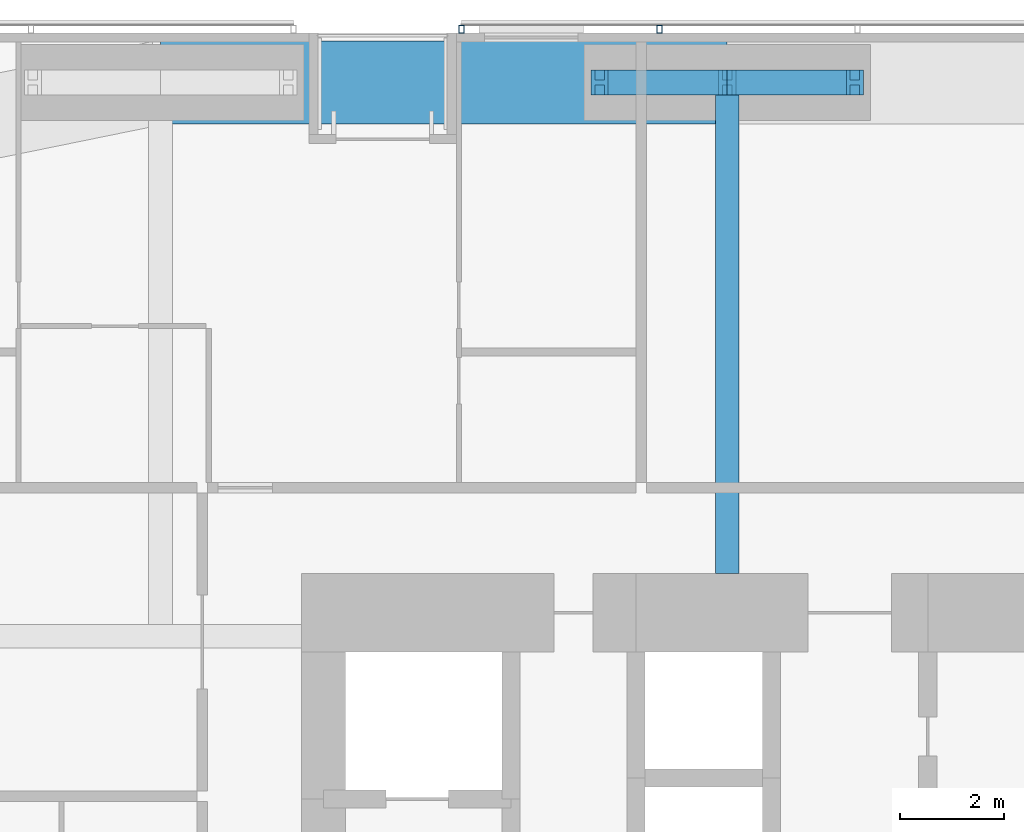
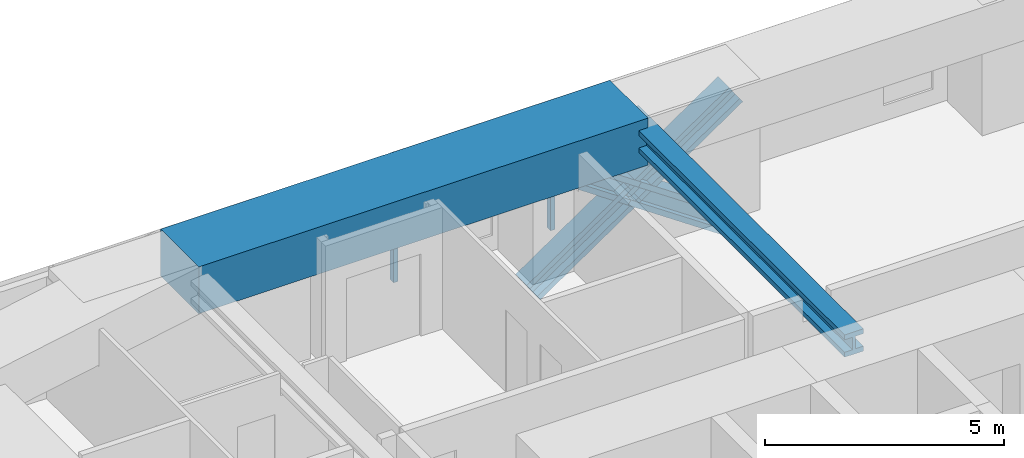
# One storey, part 13 of 24: 6 members, 2 beams, 1 element without a shape of its own.
"""IFC4 building model written with IfcOpenShell, lengths in metres."""

from ifc_helpers import new_model, si_unit, direction, frame, origin, origin_2d, place, context, subcontext, project, spatial, rectangle, hollow_rectangle, i_section, extrude, material, material_profile, profile_set, type_object, element, aggregate, save


model = new_model("IFC4")

# Units and contexts
model_context = context("Model", 3, precision=1e-05, world=origin(), true_north=direction((0.0, 1.0)))
body_context = subcontext(model_context, "Body", "Model", "MODEL_VIEW")
ifc_project = project(units=[si_unit("LENGTHUNIT", "METRE"), si_unit("AREAUNIT", "SQUARE_METRE"), si_unit("VOLUMEUNIT", "CUBIC_METRE"), si_unit("PLANEANGLEUNIT", "RADIAN"), si_unit("MASSUNIT", "GRAM", prefix="KILO")], contexts=[model_context])

# Site, building, storey
site_placement = place(None, origin())
site = spatial("IfcSite", under=ifc_project, at=site_placement, CompositionType="ELEMENT")
building_placement = place(site_placement, origin())
building = spatial("IfcBuilding", under=site, at=building_placement, Name="Jalousie Tower", CompositionType="ELEMENT")
storey_placement = place(building_placement, frame((0.0, 0.0, 131.64990234375)))
storey = spatial("IfcBuildingStorey", under=building, at=storey_placement, Name="L36", CompositionType="ELEMENT", Elevation=131.64990234375)

# Beam
ifc_material_1 = material(Name="Steel ASTM A992 Grade 50", Category="steel")
ifc_material_profile_1 = material_profile(ifc_material_1, i_section(OverallWidth=0.45458984375, OverallDepth=0.569091796875, WebThickness=0.077880859375, FlangeThickness=0.124755859375, at=origin_2d()), Name="W14X730")
ifc_profile_set_1 = profile_set([ifc_material_profile_1], Name="Steel ASTM A992 Grade 50")
beam_type_1 = type_object("IfcBeamType", Name="LEAN COLLECTOR W14X730", PredefinedType="BEAM", material=ifc_profile_set_1)
beam_1_placement = place(storey_placement, frame((27.75, 37.050048828125, 2.82568359375), z_axis=(0.0, -1.0, 0.0), x_axis=(1.0, 0.0, 0.0)))
element("IfcBeam", 1, at=beam_1_placement, inside=storey, type_object=beam_type_1, Name="Lean collector under L37", PredefinedType="BEAM", context=body_context, shape_type="SweptSolid", body=[
    extrude(i_section(OverallWidth=0.45458984375, OverallDepth=0.569091796875, WebThickness=0.077880859375, FlangeThickness=0.124755859375, at=origin_2d()), origin(), (0.0, 0.0, 1.0), 9.425048828125),
])

# Members
ifc_material_2 = material(Name="Steel ASTM A992 Grade 50", Category="steel")
ifc_material_profile_2 = material_profile(ifc_material_2, i_section(OverallWidth=0.472412109375, OverallDepth=0.5791015625, WebThickness=0.094970703125, FlangeThickness=0.1298828125, at=origin_2d()), Name="W14X808")
ifc_profile_set_2 = profile_set([ifc_material_profile_2], Name="Steel ASTM A992 Grade 50")
member_type_1 = type_object("IfcMemberType", Name="PERIMETER BRACE W14X808", PredefinedType="BRACE", material=ifc_profile_set_2)
for number, where, z_axis, x_axis, name in (
    (2, (25.300048828125, 37.050048828125, -0.599853515625), (0.825500916831, 0.0, 0.564400776321), (0.0, 1.0, 0.0), "Perimeter brace 10 L36 part 1"),
    (3, (27.75, 37.050048828125, 1.0751953125), (0.825539243753, 0.0, 0.564344714713), (0.0, 1.0, 0.0), "Perimeter brace 10 L36 part 2"),
    (4, (30.199951171875, 37.050048828125, -0.599853515625), (-0.825500916831, 0.0, 0.564400776321), (0.0, -1.0, 0.0), "Perimeter brace 10 L36 part 3"),
    (5, (27.75, 37.050048828125, 1.0751953125), (-0.825539243753, 0.0, 0.564344714713), (0.0, -1.0, 0.0), "Perimeter brace 10 L36 part 4"),
):
    element("IfcMember", number, at=place(storey_placement, frame(where, z_axis=z_axis, x_axis=x_axis)), inside=storey, type_object=member_type_1, Name=name, PredefinedType="BRACE", context=body_context, shape_type="SweptSolid", body=[
        extrude(i_section(OverallWidth=0.472412109375, OverallDepth=0.5791015625, WebThickness=0.094970703125, FlangeThickness=0.1298828125, at=origin_2d()), origin(), (0.0, 0.0, 1.0), 2.9677734375),
    ])

# Beam
ifc_material_3 = material(Name="Concrete f'c 40 MPa", Category="concrete")
ifc_material_profile_3 = material_profile(ifc_material_3, rectangle(XDim=1.60009765625, YDim=1.199951171875, at=origin_2d()), Name="RC 1600x1200")
ifc_profile_set_3 = profile_set([ifc_material_profile_3], Name="Concrete f'c 40 MPa")
beam_type_2 = type_object("IfcBeamType", Name="RC BEAM 1600x1200", PredefinedType="BEAM", material=ifc_profile_set_3)
beam_2_placement = place(storey_placement, frame((27.75, 37.050048828125, 2.75), z_axis=(-1.0, 0.0, 0.0), x_axis=(0.0, -1.0, 0.0)))
element("IfcBeam", 6, at=beam_2_placement, inside=storey, type_object=beam_type_2, Name="Edge band beam 10-11 under L37", PredefinedType="BEAM", context=body_context, shape_type="SweptSolid", body=[
    extrude(rectangle(XDim=1.60009765625, YDim=1.199951171875, at=origin_2d()), origin(), (0.0, 0.0, 1.0), 10.875),
])

# Curtain wall, members
ifc_material_4 = material(Name="Perforated aluminium sheet", Category="aluminium")
curtain_wall_type = type_object("IfcCurtainWallType", Name="SOLAR SCREEN SS-1", PredefinedType="USERDEFINED", material=ifc_material_4)
curtain_wall_placement = place(storey_placement, origin())
curtain_wall = element("IfcCurtainWall", 7, at=curtain_wall_placement, inside=storey, type_object=curtain_wall_type, Name="Solar screen L36", ObjectType="SOLAR SCREEN SS-1", PredefinedType="USERDEFINED")
ifc_material_5 = material(Name="Steel ASTM A500 Grade C", Category="steel")
ifc_material_profile_4 = material_profile(ifc_material_5, hollow_rectangle(XDim=0.1015625, YDim=0.15234375, WallThickness=0.00634765625, at=origin_2d()), Name="HSS6X4X1/4")
ifc_profile_set_4 = profile_set([ifc_material_profile_4], Name="Steel ASTM A500 Grade C")
member_type_2 = type_object("IfcMemberType", Name="SOLAR SCREEN SS-1 MULLION", PredefinedType="MULLION", material=ifc_profile_set_4)
member_1_placement = place(storey_placement, frame((26.449462890625, 38.0712890625, -0.119873046875), z_axis=(0.0, 0.0, 1.0), x_axis=(-1.0, 0.0, 0.0)))
member_1 = element("IfcMember", 8, at=member_1_placement, type_object=member_type_2, Name="SS1 post 3", PredefinedType="MULLION", context=body_context, shape_type="SweptSolid", body=[
    extrude(hollow_rectangle(XDim=0.1015625, YDim=0.15234375, WallThickness=0.00634765625, at=origin_2d()), origin(), (0.0, 0.0, 1.0), 3.22998046875),
])
member_2_placement = place(storey_placement, frame((22.64990234375, 38.0712890625, -0.119873046875), z_axis=(0.0, 0.0, 1.0), x_axis=(-1.0, 0.0, 0.0)))
member_2 = element("IfcMember", 9, at=member_2_placement, type_object=member_type_2, Name="SS1 post 4", PredefinedType="MULLION", context=body_context, shape_type="SweptSolid", body=[
    extrude(hollow_rectangle(XDim=0.1015625, YDim=0.15234375, WallThickness=0.00634765625, at=origin_2d()), origin(), (0.0, 0.0, 1.0), 3.22998046875),
])
aggregate(curtain_wall, [member_1, member_2])

save(model, "model.ifc")
